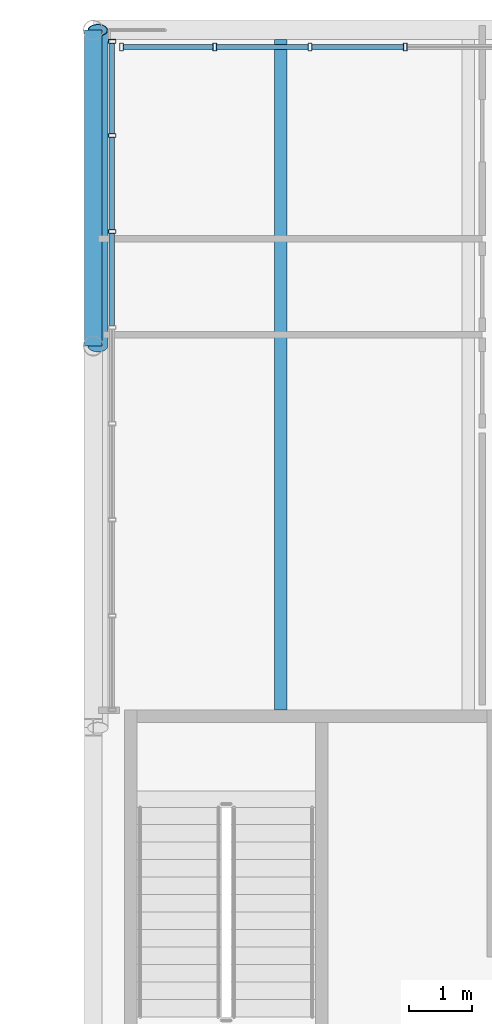
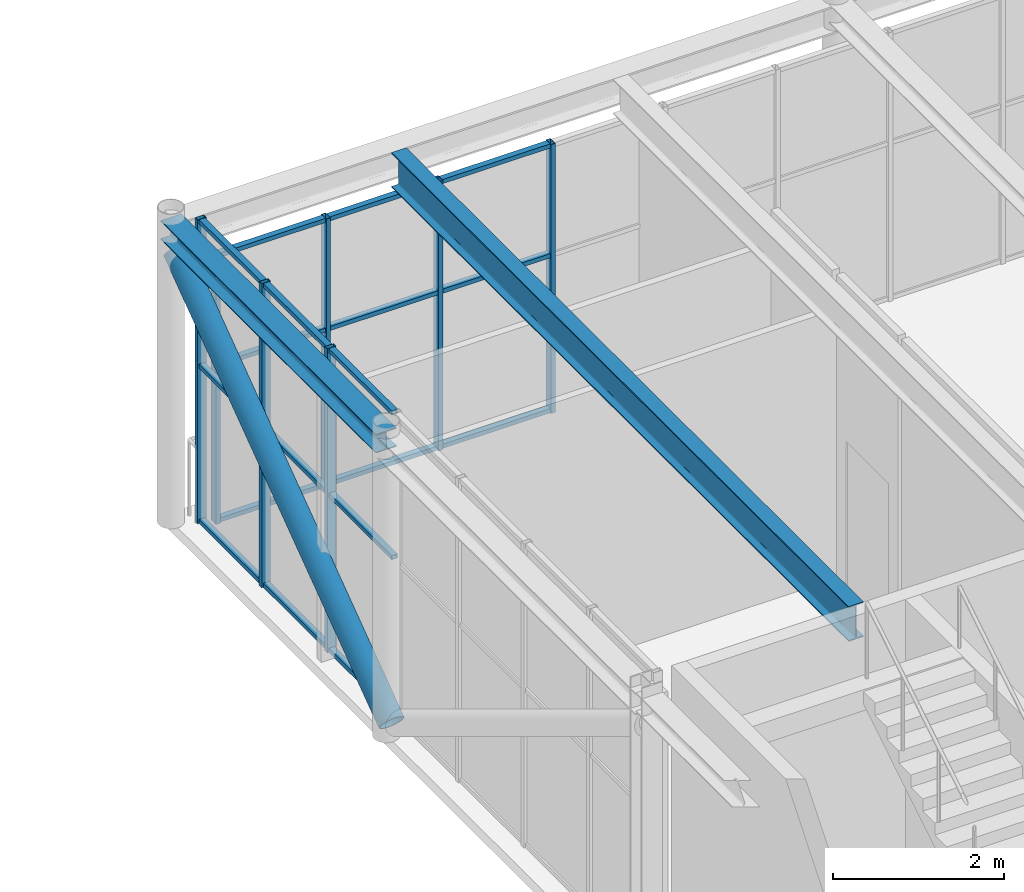
# One storey, part 22 of 70: 26 members, 2 beams, 2 elements without a shape of their own.
"""IFC4 building model written with IfcOpenShell, lengths in metres."""

import ifcopenshell
import ifcopenshell.guid

model = None  # the IFC model being written
_history = None  # IfcOwnerHistory: only IFC2X3 demands one
_inside = {}  # id of a spatial element -> (the spatial element, [elements in it])
_under = {}  # id of a project, library or spatial element -> (it, [spatial elements below it])
_declared = {}  # id of a project -> (the project, [libraries it declares])
_typed = {}  # id of a type object -> (the type object, [elements of that type])
_made_of = {}  # id of a material, layer set ... -> (it, [elements and type objects made of it])


def new_model(schema):
    """Start an empty IFC model of exactly this schema.

    Asked for "IFC4X3", IfcOpenShell would pick the latest addendum, in which some entities
    have other attributes; the version numbers below select the first issue.
    IFC2X3 requires an IfcOwnerHistory on every rooted entity: one is made here for all.
    """
    global model, _history
    if schema == "IFC4X3":
        model = ifcopenshell.file(schema_version=(4, 3, 0, 0))
    else:
        model = ifcopenshell.file(schema=schema)
    _inside.clear()
    _under.clear()
    _declared.clear()
    _typed.clear()
    _made_of.clear()
    _history = None
    if model.schema == "IFC2X3":
        org = make("IfcOrganization", Name="unknown")
        user = make(
            "IfcPersonAndOrganization",
            ThePerson=make("IfcPerson", FamilyName="unknown"),
            TheOrganization=org,
        )
        app = make(
            "IfcApplication",
            ApplicationDeveloper=org,
            Version="unknown",
            ApplicationFullName="unknown",
            ApplicationIdentifier="unknown",
        )
        _history = make(
            "IfcOwnerHistory",
            OwningUser=user,
            OwningApplication=app,
            ChangeAction="ADDED",
            CreationDate=0,
        )
    return model


def make(cls, **values):
    """One entity of the class cls with the attributes given. An attribute that is None is left unset."""
    return model.create_entity(
        cls, **{name: value for name, value in values.items() if value is not None}
    )


def rooted(cls, **values):
    """An entity with a GlobalId (a new one), such as an element, a storey or a relation."""
    return make(cls, GlobalId=ifcopenshell.guid.new(), OwnerHistory=_history, **values)


def si_unit(unit_type, name, prefix=None):
    """IfcSIUnit, for example si_unit("LENGTHUNIT", "METRE", prefix="MILLI")."""
    return make("IfcSIUnit", UnitType=unit_type, Prefix=prefix, Name=name)


def assignment(units):
    """IfcUnitAssignment: the units of a project."""
    return None if units is None else make("IfcUnitAssignment", Units=units)


def point(xyz):
    """IfcCartesianPoint."""
    return None if xyz is None else make("IfcCartesianPoint", Coordinates=xyz)


def direction(xyz):
    """IfcDirection."""
    return None if xyz is None else make("IfcDirection", DirectionRatios=xyz)


def frame(location, z_axis=None, x_axis=None):
    """IfcAxis2Placement3D, a coordinate frame: its origin and axes. An axis left out is left unset."""
    return make(
        "IfcAxis2Placement3D",
        Location=point(location),
        Axis=direction(z_axis),
        RefDirection=direction(x_axis),
    )


def frame_2d(location, x_axis=None):
    """IfcAxis2Placement2D, a coordinate frame in the plane: its origin and x axis."""
    return make(
        "IfcAxis2Placement2D", Location=point(location), RefDirection=direction(x_axis)
    )


def origin():
    """The frame at (0, 0, 0) with its axes left unset."""
    return frame((0.0, 0.0, 0.0))


def origin_2d():
    """The frame at (0, 0) in the plane with its x axis left unset."""
    return frame_2d((0.0, 0.0))


def place(relative_to, where):
    """IfcLocalPlacement: puts the frame where relative to a parent placement (None: the world)."""
    return make(
        "IfcLocalPlacement", PlacementRelTo=relative_to, RelativePlacement=where
    )


def context(
    kind, dimensions, precision=None, world=None, true_north=None, identifier=None
):
    """IfcGeometricRepresentationContext, for example the 3D "Model" context."""
    return make(
        "IfcGeometricRepresentationContext",
        ContextIdentifier=identifier,
        ContextType=kind,
        CoordinateSpaceDimension=dimensions,
        Precision=precision,
        WorldCoordinateSystem=world,
        TrueNorth=true_north,
    )


def subcontext(parent, identifier, kind, view, scale=None):
    """IfcGeometricRepresentationSubContext, for example "Body" below "Model"."""
    return make(
        "IfcGeometricRepresentationSubContext",
        ContextIdentifier=identifier,
        ContextType=kind,
        ParentContext=parent,
        TargetScale=scale,
        TargetView=view,
    )


def project(units=None, contexts=None):
    """IfcProject with its units and contexts."""
    return rooted(
        "IfcProject",
        Name="project",
        RepresentationContexts=contexts,
        UnitsInContext=assignment(units),
    )


def spatial(cls, under=None, at=None, **own):
    """A site, building, storey or space (cls), placed at a placement, below another one or the project."""
    s = rooted(cls, ObjectPlacement=at, **own)
    if under is not None:
        _under.setdefault(under.id(), (under, []))[1].append(s)
    return s


def profile(cls, at=None, kind="AREA", **sizes):
    """A parametric profile (cls). Its sizes go by their IFC names, for example OverallWidth=200.0."""
    return make(cls, ProfileType=kind, Position=at, **sizes)


def hollow_rectangle(**sizes):
    """IfcRectangleHollowProfileDef."""
    return profile("IfcRectangleHollowProfileDef", **sizes)


def hollow_circle(**sizes):
    """IfcCircleHollowProfileDef."""
    return profile("IfcCircleHollowProfileDef", **sizes)


def i_section(**sizes):
    """IfcIShapeProfileDef."""
    return profile("IfcIShapeProfileDef", **sizes)


def extrude(swept, where, along, depth):
    """IfcExtrudedAreaSolid: the profile swept, set in the frame where, extruded along a direction by depth."""
    return make(
        "IfcExtrudedAreaSolid",
        SweptArea=swept,
        Position=where,
        ExtrudedDirection=direction(along),
        Depth=depth,
    )


def shape(context_of_items, identifier, shape_type, items):
    """IfcShapeRepresentation: the items that make up one representation, for example the "Body"."""
    return make(
        "IfcShapeRepresentation",
        ContextOfItems=context_of_items,
        RepresentationIdentifier=identifier,
        RepresentationType=shape_type,
        Items=items,
    )


def material(Name=None, Category=None):
    """IfcMaterial."""
    return make("IfcMaterial", Name=Name, Category=Category)


def layer(
    of_material, thickness, ventilated=None, Name=None, Category=None, Priority=None
):
    """IfcMaterialLayer: one layer of a wall or slab, of a material (None: an air gap)."""
    return make(
        "IfcMaterialLayer",
        Material=of_material,
        LayerThickness=thickness,
        IsVentilated=ventilated,
        Name=Name,
        Category=Category,
        Priority=Priority,
    )


def layer_set(layers, Name=None):
    """IfcMaterialLayerSet."""
    return make("IfcMaterialLayerSet", MaterialLayers=layers, LayerSetName=Name)


def material_profile(
    of_material, cross_section, Name=None, Category=None, Priority=None
):
    """IfcMaterialProfile: a cross section and its material."""
    return make(
        "IfcMaterialProfile",
        Name=Name,
        Material=of_material,
        Profile=cross_section,
        Priority=Priority,
        Category=Category,
    )


def profile_set(profiles, Name=None, composite=None):
    """IfcMaterialProfileSet."""
    return make(
        "IfcMaterialProfileSet",
        Name=Name,
        MaterialProfiles=profiles,
        CompositeProfile=composite,
    )


def made_of(thing, what):
    """Note that an element or type object is made of a material, layer set ...; save() writes the relation."""
    if what is not None:
        _made_of.setdefault(what.id(), (what, []))[1].append(thing)
    return thing


def type_object(cls, material=None, **own):
    """A type object (cls), such as IfcWallType, which elements share."""
    return made_of(rooted(cls, **own), material)


def element(
    cls,
    number,
    at=None,
    inside=None,
    cuts=None,
    type_object=None,
    material=None,
    context=None,
    identifier="Body",
    shape_type=None,
    held_by="IfcProductDefinitionShape",
    body=None,
    shapes=None,
    **own,
):
    """One element of the class cls, such as IfcWall. Its Tag is "e" and its number.

    at: its placement. inside: the storey or other place that contains it. cuts: it is an
    opening in that element (IfcRelVoidsElement). A single representation is given by context,
    identifier, shape_type and body (its items); several are given by shapes. held_by: the class
    of the entity that holds the representations. save() writes the other relations.
    """
    e = rooted(cls, Tag="e%d" % number, ObjectPlacement=at, **own)
    if body is not None:
        shapes = [shape(context, identifier, shape_type, body)]
    if shapes is not None:
        e.Representation = make(held_by, Representations=shapes)
    if inside is not None:
        _inside.setdefault(inside.id(), (inside, []))[1].append(e)
    if cuts is not None:
        rooted(
            "IfcRelVoidsElement", RelatingBuildingElement=cuts, RelatedOpeningElement=e
        )
    if type_object is not None:
        _typed.setdefault(type_object.id(), (type_object, []))[1].append(e)
    return made_of(e, material)


def aggregate(whole, parts):
    """IfcRelAggregates: a whole, such as a stair, and the parts it consists of."""
    return rooted("IfcRelAggregates", RelatingObject=whole, RelatedObjects=parts)


def save(model, path):
    """Write the relations noted so far, then the file.

    IfcRelAggregates (storeys below a building ...), IfcRelContainedInSpatialStructure (elements
    in a storey), IfcRelDefinesByType, IfcRelAssociatesMaterial and IfcRelDeclares: one each for
    every whole, place, type object, material and project.
    """
    for whole, parts in _under.values():
        aggregate(whole, parts)
    for where, things in _inside.values():
        rooted(
            "IfcRelContainedInSpatialStructure",
            RelatedElements=things,
            RelatingStructure=where,
        )
    for kind, things in _typed.values():
        rooted("IfcRelDefinesByType", RelatedObjects=things, RelatingType=kind)
    for what, things in _made_of.values():
        rooted("IfcRelAssociatesMaterial", RelatedObjects=things, RelatingMaterial=what)
    for by, libraries in _declared.values():
        rooted("IfcRelDeclares", RelatingContext=by, RelatedDefinitions=libraries)
    model.write(path)


model = new_model("IFC4")

# Units and contexts
model_context = context("Model", 3, precision=1e-05, world=origin(), true_north=direction((0.0, 1.0)))
body_context = subcontext(model_context, "Body", "Model", "MODEL_VIEW")
ifc_project = project(units=[si_unit("LENGTHUNIT", "METRE"), si_unit("AREAUNIT", "SQUARE_METRE"), si_unit("VOLUMEUNIT", "CUBIC_METRE"), si_unit("PLANEANGLEUNIT", "RADIAN"), si_unit("MASSUNIT", "GRAM", prefix="KILO")], contexts=[model_context])

# Site, building, storey
site_placement = place(None, origin())
site = spatial("IfcSite", under=ifc_project, at=site_placement, CompositionType="ELEMENT")
building_placement = place(site_placement, origin())
building = spatial("IfcBuilding", under=site, at=building_placement, Name="Kallimachos Central Library", CompositionType="ELEMENT")
storey_placement = place(building_placement, frame((0.0, 0.0, 18.89990234375)))
storey = spatial("IfcBuildingStorey", under=building, at=storey_placement, Name="L04", CompositionType="ELEMENT", Elevation=18.89990234375)

# Member
ifc_material_1 = material(Name="Steel S355J2H", Category="steel")
ifc_material_profile_1 = material_profile(ifc_material_1, hollow_circle(Radius=0.161865234375, WallThickness=0.012451171875, at=origin_2d()), Name="CHS 323.9x12.5")
ifc_profile_set_1 = profile_set([ifc_material_profile_1], Name="Steel S355J2H")
member_type_1 = type_object("IfcMemberType", Name="CHS 323.9x12.5 brace", PredefinedType="BRACE", material=ifc_profile_set_1)
member_1_placement = place(storey_placement, frame((65.572998046875, 116.60009765625, 0.150146484375), z_axis=(0.0, 0.806651655217, 0.591027162774), x_axis=(-1.0, 0.0, 0.0)))
element("IfcMember", 1, at=member_1_placement, inside=storey, type_object=member_type_1, Name="Cantilever truss diagonal 65.5 L04.2", PredefinedType="BRACE", context=body_context, shape_type="SweptSolid", body=[
    extrude(hollow_circle(Radius=0.161865234375, WallThickness=0.012451171875, at=origin_2d()), origin(), (0.0, 0.0, 1.0), 6.26025390625),
])

# Curtain wall, members
ifc_material_2 = material(Name="Anodised aluminium and laminated glass", Category="aluminium")
ifc_layer = layer(ifc_material_2, 0.159912109375)
ifc_layer_set = layer_set([ifc_layer], Name="Glass box curtain wall")
curtain_wall_type = type_object("IfcCurtainWallType", Name="Glass box curtain wall", PredefinedType="NOTDEFINED", material=ifc_layer_set)
curtain_wall_1_placement = place(storey_placement, origin())
curtain_wall_1 = element("IfcCurtainWall", 2, at=curtain_wall_1_placement, inside=storey, type_object=curtain_wall_type, Name="Glass box curtain wall W L04", PredefinedType="NOTDEFINED")
ifc_material_3 = material(Name="Anodised aluminium", Category="aluminium")
ifc_material_profile_2 = material_profile(ifc_material_3, hollow_rectangle(XDim=0.06005859375, YDim=0.1201171875, WallThickness=0.00390625, at=origin_2d()), Name="ALU MULLION 60x120")
ifc_profile_set_2 = profile_set([ifc_material_profile_2], Name="Anodised aluminium")
member_type_2 = type_object("IfcMemberType", Name="Glass box mullion 60x120", PredefinedType="MULLION", material=ifc_profile_set_2)
member_2_placement = place(storey_placement, frame((65.800048828125, 118.428466796875, 0.0), z_axis=(0.0, 0.0, 1.0), x_axis=(0.0, 1.0, 0.0)))
member_2 = element("IfcMember", 3, at=member_2_placement, type_object=member_type_2, Name="CW31 mullion 6", PredefinedType="MULLION", context=body_context, shape_type="SweptSolid", body=[
    extrude(hollow_rectangle(XDim=0.06005859375, YDim=0.1201171875, WallThickness=0.00390625, at=origin_2d()), origin(), (0.0, 0.0, 1.0), 4.35009765625),
])
member_3_placement = place(storey_placement, frame((65.800048828125, 119.96435546875, 0.0), z_axis=(0.0, 0.0, 1.0), x_axis=(0.0, 1.0, 0.0)))
member_3 = element("IfcMember", 4, at=member_3_placement, type_object=member_type_2, Name="CW31 mullion 7", PredefinedType="MULLION", context=body_context, shape_type="SweptSolid", body=[
    extrude(hollow_rectangle(XDim=0.06005859375, YDim=0.1201171875, WallThickness=0.00390625, at=origin_2d()), origin(), (0.0, 0.0, 1.0), 4.35009765625),
])
member_4_placement = place(storey_placement, frame((65.800048828125, 121.469970703125, 0.0), z_axis=(0.0, 0.0, 1.0), x_axis=(0.0, 1.0, 0.0)))
member_4 = element("IfcMember", 5, at=member_4_placement, type_object=member_type_2, Name="CW31 mullion 8", PredefinedType="MULLION", context=body_context, shape_type="SweptSolid", body=[
    extrude(hollow_rectangle(XDim=0.06005859375, YDim=0.1201171875, WallThickness=0.00390625, at=origin_2d()), origin(), (0.0, 0.0, 1.0), 4.35009765625),
])

curtain_wall_2_placement = place(storey_placement, origin())
curtain_wall_2 = element("IfcCurtainWall", 6, at=curtain_wall_2_placement, inside=storey, type_object=curtain_wall_type, Name="Glass box curtain wall N L04", PredefinedType="NOTDEFINED")
member_5_placement = place(storey_placement, frame((65.949951171875, 121.3798828125, 0.0), z_axis=(0.0, 0.0, 1.0), x_axis=(1.0, 0.0, 0.0)))
member_5 = element("IfcMember", 7, at=member_5_placement, type_object=member_type_2, Name="CW34 mullion 1", PredefinedType="MULLION", context=body_context, shape_type="SweptSolid", body=[
    extrude(hollow_rectangle(XDim=0.06005859375, YDim=0.1201171875, WallThickness=0.00390625, at=origin_2d()), origin(), (0.0, 0.0, 1.0), 3.85009765625),
])
member_6_placement = place(storey_placement, frame((67.44287109375, 121.3798828125, 0.0), z_axis=(0.0, 0.0, 1.0), x_axis=(1.0, 0.0, 0.0)))
member_6 = element("IfcMember", 8, at=member_6_placement, type_object=member_type_2, Name="CW34 mullion 2", PredefinedType="MULLION", context=body_context, shape_type="SweptSolid", body=[
    extrude(hollow_rectangle(XDim=0.06005859375, YDim=0.1201171875, WallThickness=0.00390625, at=origin_2d()), origin(), (0.0, 0.0, 1.0), 3.85009765625),
])
member_7_placement = place(storey_placement, frame((68.965576171875, 121.3798828125, 0.0), z_axis=(0.0, 0.0, 1.0), x_axis=(1.0, 0.0, 0.0)))
member_7 = element("IfcMember", 9, at=member_7_placement, type_object=member_type_2, Name="CW34 mullion 3", PredefinedType="MULLION", context=body_context, shape_type="SweptSolid", body=[
    extrude(hollow_rectangle(XDim=0.06005859375, YDim=0.1201171875, WallThickness=0.00390625, at=origin_2d()), origin(), (0.0, 0.0, 1.0), 3.85009765625),
])
member_8_placement = place(storey_placement, frame((70.48828125, 121.3798828125, 0.0), z_axis=(0.0, 0.0, 1.0), x_axis=(1.0, 0.0, 0.0)))
member_8 = element("IfcMember", 10, at=member_8_placement, type_object=member_type_2, Name="CW34 mullion 4", PredefinedType="MULLION", context=body_context, shape_type="SweptSolid", body=[
    extrude(hollow_rectangle(XDim=0.06005859375, YDim=0.1201171875, WallThickness=0.00390625, at=origin_2d()), origin(), (0.0, 0.0, 1.0), 3.85009765625),
])

# Member
ifc_material_4 = material(Name="Anodised aluminium", Category="aluminium")
ifc_material_profile_3 = material_profile(ifc_material_4, hollow_rectangle(XDim=0.06005859375, YDim=0.080078125, WallThickness=0.00390625, at=origin_2d()), Name="ALU TRANSOM 60x80")
ifc_profile_set_3 = profile_set([ifc_material_profile_3], Name="Anodised aluminium")
member_type_3 = type_object("IfcMemberType", Name="Glass box transom 60x80", PredefinedType="USERDEFINED", material=ifc_profile_set_3)
member_9_placement = place(storey_placement, frame((65.800048828125, 116.9228515625, 0.030029296875), z_axis=(0.0, 1.0, 0.0), x_axis=(0.0, 0.0, 1.0)))
member_9 = element("IfcMember", 11, at=member_9_placement, type_object=member_type_3, Name="CW31 transom 5.1", ObjectType="TRANSOM", PredefinedType="USERDEFINED", context=body_context, shape_type="SweptSolid", body=[
    extrude(hollow_rectangle(XDim=0.06005859375, YDim=0.080078125, WallThickness=0.00390625, at=origin_2d()), origin(), (0.0, 0.0, 1.0), 1.475830078125),
])

member_10_placement = place(storey_placement, frame((65.800048828125, 116.9228515625, 2.25), z_axis=(0.0, 1.0, 0.0), x_axis=(0.0, 0.0, 1.0)))
member_10 = element("IfcMember", 12, at=member_10_placement, type_object=member_type_3, Name="CW31 transom 5.2", ObjectType="TRANSOM", PredefinedType="USERDEFINED", context=body_context, shape_type="SweptSolid", body=[
    extrude(hollow_rectangle(XDim=0.06005859375, YDim=0.080078125, WallThickness=0.00390625, at=origin_2d()), origin(), (0.0, 0.0, 1.0), 1.475830078125),
])

member_11_placement = place(storey_placement, frame((65.800048828125, 116.9228515625, 4.320068359375), z_axis=(0.0, 1.0, 0.0), x_axis=(0.0, 0.0, 1.0)))
member_11 = element("IfcMember", 13, at=member_11_placement, type_object=member_type_3, Name="CW31 transom 5.3", ObjectType="TRANSOM", PredefinedType="USERDEFINED", context=body_context, shape_type="SweptSolid", body=[
    extrude(hollow_rectangle(XDim=0.06005859375, YDim=0.080078125, WallThickness=0.00390625, at=origin_2d()), origin(), (0.0, 0.0, 1.0), 1.475830078125),
])

member_12_placement = place(storey_placement, frame((65.800048828125, 118.45849609375, 0.030029296875), z_axis=(0.0, 1.0, 0.0), x_axis=(0.0, 0.0, 1.0)))
member_12 = element("IfcMember", 14, at=member_12_placement, type_object=member_type_3, Name="CW31 transom 6.1", ObjectType="TRANSOM", PredefinedType="USERDEFINED", context=body_context, shape_type="SweptSolid", body=[
    extrude(hollow_rectangle(XDim=0.06005859375, YDim=0.080078125, WallThickness=0.00390625, at=origin_2d()), origin(), (0.0, 0.0, 1.0), 1.475830078125),
])

member_13_placement = place(storey_placement, frame((65.800048828125, 118.45849609375, 2.25), z_axis=(0.0, 1.0, 0.0), x_axis=(0.0, 0.0, 1.0)))
member_13 = element("IfcMember", 15, at=member_13_placement, type_object=member_type_3, Name="CW31 transom 6.2", ObjectType="TRANSOM", PredefinedType="USERDEFINED", context=body_context, shape_type="SweptSolid", body=[
    extrude(hollow_rectangle(XDim=0.06005859375, YDim=0.080078125, WallThickness=0.00390625, at=origin_2d()), origin(), (0.0, 0.0, 1.0), 1.475830078125),
])

member_14_placement = place(storey_placement, frame((65.800048828125, 118.45849609375, 4.320068359375), z_axis=(0.0, 1.0, 0.0), x_axis=(0.0, 0.0, 1.0)))
member_14 = element("IfcMember", 16, at=member_14_placement, type_object=member_type_3, Name="CW31 transom 6.3", ObjectType="TRANSOM", PredefinedType="USERDEFINED", context=body_context, shape_type="SweptSolid", body=[
    extrude(hollow_rectangle(XDim=0.06005859375, YDim=0.080078125, WallThickness=0.00390625, at=origin_2d()), origin(), (0.0, 0.0, 1.0), 1.475830078125),
])

member_15_placement = place(storey_placement, frame((65.800048828125, 119.994384765625, 0.030029296875), z_axis=(0.0, 1.0, 0.0), x_axis=(0.0, 0.0, 1.0)))
member_15 = element("IfcMember", 17, at=member_15_placement, type_object=member_type_3, Name="CW31 transom 7.1", ObjectType="TRANSOM", PredefinedType="USERDEFINED", context=body_context, shape_type="SweptSolid", body=[
    extrude(hollow_rectangle(XDim=0.06005859375, YDim=0.080078125, WallThickness=0.00390625, at=origin_2d()), origin(), (0.0, 0.0, 1.0), 1.445556640625),
])

member_16_placement = place(storey_placement, frame((65.800048828125, 119.994384765625, 2.25), z_axis=(0.0, 1.0, 0.0), x_axis=(0.0, 0.0, 1.0)))
member_16 = element("IfcMember", 18, at=member_16_placement, type_object=member_type_3, Name="CW31 transom 7.2", ObjectType="TRANSOM", PredefinedType="USERDEFINED", context=body_context, shape_type="SweptSolid", body=[
    extrude(hollow_rectangle(XDim=0.06005859375, YDim=0.080078125, WallThickness=0.00390625, at=origin_2d()), origin(), (0.0, 0.0, 1.0), 1.445556640625),
])

member_17_placement = place(storey_placement, frame((65.800048828125, 119.994384765625, 4.320068359375), z_axis=(0.0, 1.0, 0.0), x_axis=(0.0, 0.0, 1.0)))
member_17 = element("IfcMember", 19, at=member_17_placement, type_object=member_type_3, Name="CW31 transom 7.3", ObjectType="TRANSOM", PredefinedType="USERDEFINED", context=body_context, shape_type="SweptSolid", body=[
    extrude(hollow_rectangle(XDim=0.06005859375, YDim=0.080078125, WallThickness=0.00390625, at=origin_2d()), origin(), (0.0, 0.0, 1.0), 1.445556640625),
])

aggregate(curtain_wall_1, [member_2, member_3, member_4, member_9, member_10, member_11, member_12, member_13, member_14, member_15, member_16, member_17])

member_18_placement = place(storey_placement, frame((65.97998046875, 121.3798828125, 0.030029296875), z_axis=(1.0, 0.0, 0.0), x_axis=(0.0, 0.0, 1.0)))
member_18 = element("IfcMember", 20, at=member_18_placement, type_object=member_type_3, Name="CW34 transom 1.1", ObjectType="TRANSOM", PredefinedType="USERDEFINED", context=body_context, shape_type="SweptSolid", body=[
    extrude(hollow_rectangle(XDim=0.06005859375, YDim=0.080078125, WallThickness=0.00390625, at=origin_2d()), origin(), (0.0, 0.0, 1.0), 1.432861328125),
])

member_19_placement = place(storey_placement, frame((65.97998046875, 121.3798828125, 2.25), z_axis=(1.0, 0.0, 0.0), x_axis=(0.0, 0.0, 1.0)))
member_19 = element("IfcMember", 21, at=member_19_placement, type_object=member_type_3, Name="CW34 transom 1.2", ObjectType="TRANSOM", PredefinedType="USERDEFINED", context=body_context, shape_type="SweptSolid", body=[
    extrude(hollow_rectangle(XDim=0.06005859375, YDim=0.080078125, WallThickness=0.00390625, at=origin_2d()), origin(), (0.0, 0.0, 1.0), 1.432861328125),
])

member_20_placement = place(storey_placement, frame((65.97998046875, 121.3798828125, 3.820068359375), z_axis=(1.0, 0.0, 0.0), x_axis=(0.0, 0.0, 1.0)))
member_20 = element("IfcMember", 22, at=member_20_placement, type_object=member_type_3, Name="CW34 transom 1.3", ObjectType="TRANSOM", PredefinedType="USERDEFINED", context=body_context, shape_type="SweptSolid", body=[
    extrude(hollow_rectangle(XDim=0.06005859375, YDim=0.080078125, WallThickness=0.00390625, at=origin_2d()), origin(), (0.0, 0.0, 1.0), 1.432861328125),
])

member_21_placement = place(storey_placement, frame((67.47265625, 121.3798828125, 0.030029296875), z_axis=(1.0, 0.0, 0.0), x_axis=(0.0, 0.0, 1.0)))
member_21 = element("IfcMember", 23, at=member_21_placement, type_object=member_type_3, Name="CW34 transom 2.1", ObjectType="TRANSOM", PredefinedType="USERDEFINED", context=body_context, shape_type="SweptSolid", body=[
    extrude(hollow_rectangle(XDim=0.06005859375, YDim=0.080078125, WallThickness=0.00390625, at=origin_2d()), origin(), (0.0, 0.0, 1.0), 1.462890625),
])

member_22_placement = place(storey_placement, frame((67.47265625, 121.3798828125, 2.25), z_axis=(1.0, 0.0, 0.0), x_axis=(0.0, 0.0, 1.0)))
member_22 = element("IfcMember", 24, at=member_22_placement, type_object=member_type_3, Name="CW34 transom 2.2", ObjectType="TRANSOM", PredefinedType="USERDEFINED", context=body_context, shape_type="SweptSolid", body=[
    extrude(hollow_rectangle(XDim=0.06005859375, YDim=0.080078125, WallThickness=0.00390625, at=origin_2d()), origin(), (0.0, 0.0, 1.0), 1.462890625),
])

member_23_placement = place(storey_placement, frame((67.47265625, 121.3798828125, 3.820068359375), z_axis=(1.0, 0.0, 0.0), x_axis=(0.0, 0.0, 1.0)))
member_23 = element("IfcMember", 25, at=member_23_placement, type_object=member_type_3, Name="CW34 transom 2.3", ObjectType="TRANSOM", PredefinedType="USERDEFINED", context=body_context, shape_type="SweptSolid", body=[
    extrude(hollow_rectangle(XDim=0.06005859375, YDim=0.080078125, WallThickness=0.00390625, at=origin_2d()), origin(), (0.0, 0.0, 1.0), 1.462890625),
])

member_24_placement = place(storey_placement, frame((68.99560546875, 121.3798828125, 0.030029296875), z_axis=(1.0, 0.0, 0.0), x_axis=(0.0, 0.0, 1.0)))
member_24 = element("IfcMember", 26, at=member_24_placement, type_object=member_type_3, Name="CW34 transom 3.1", ObjectType="TRANSOM", PredefinedType="USERDEFINED", context=body_context, shape_type="SweptSolid", body=[
    extrude(hollow_rectangle(XDim=0.06005859375, YDim=0.080078125, WallThickness=0.00390625, at=origin_2d()), origin(), (0.0, 0.0, 1.0), 1.462646484375),
])

member_25_placement = place(storey_placement, frame((68.99560546875, 121.3798828125, 2.25), z_axis=(1.0, 0.0, 0.0), x_axis=(0.0, 0.0, 1.0)))
member_25 = element("IfcMember", 27, at=member_25_placement, type_object=member_type_3, Name="CW34 transom 3.2", ObjectType="TRANSOM", PredefinedType="USERDEFINED", context=body_context, shape_type="SweptSolid", body=[
    extrude(hollow_rectangle(XDim=0.06005859375, YDim=0.080078125, WallThickness=0.00390625, at=origin_2d()), origin(), (0.0, 0.0, 1.0), 1.462646484375),
])

member_26_placement = place(storey_placement, frame((68.99560546875, 121.3798828125, 3.820068359375), z_axis=(1.0, 0.0, 0.0), x_axis=(0.0, 0.0, 1.0)))
member_26 = element("IfcMember", 28, at=member_26_placement, type_object=member_type_3, Name="CW34 transom 3.3", ObjectType="TRANSOM", PredefinedType="USERDEFINED", context=body_context, shape_type="SweptSolid", body=[
    extrude(hollow_rectangle(XDim=0.06005859375, YDim=0.080078125, WallThickness=0.00390625, at=origin_2d()), origin(), (0.0, 0.0, 1.0), 1.462646484375),
])

aggregate(curtain_wall_2, [member_5, member_6, member_7, member_8, member_18, member_19, member_20, member_21, member_22, member_23, member_24, member_25, member_26])

# Beams
ifc_material_5 = material(Name="Steel S355J2", Category="steel")
ifc_material_profile_4 = material_profile(ifc_material_5, i_section(OverallWidth=0.280029296875, OverallDepth=0.27001953125, WebThickness=0.008056640625, FlangeThickness=0.012939453125, FilletRadius=0.02392578125, at=origin_2d()), Name="HEA 280")
ifc_profile_set_4 = profile_set([ifc_material_profile_4], Name="Steel S355J2")
beam_type_1 = type_object("IfcBeamType", Name="HEA 280 beam", PredefinedType="BEAM", material=ifc_profile_set_4)
beam_1_placement = place(storey_placement, frame((65.5, 116.60009765625, 4.215087890625), z_axis=(0.0, 1.0, 0.0), x_axis=(-1.0, 0.0, 0.0)))
element("IfcBeam", 29, at=beam_1_placement, inside=storey, type_object=beam_type_1, Name="V1-BEM-L04-024", PredefinedType="BEAM", context=body_context, shape_type="SweptSolid", body=[
    extrude(i_section(OverallWidth=0.280029296875, OverallDepth=0.27001953125, WebThickness=0.008056640625, FlangeThickness=0.012939453125, FilletRadius=0.02392578125, at=origin_2d()), origin(), (0.0, 0.0, 1.0), 5.0498046875),
])
ifc_material_6 = material(Name="Steel S355J2", Category="steel")
ifc_material_profile_5 = material_profile(ifc_material_6, i_section(OverallWidth=0.199951171875, OverallDepth=0.5, WebThickness=0.01025390625, FlangeThickness=0.01611328125, FilletRadius=0.02099609375, at=origin_2d()), Name="IPE 500")
ifc_profile_set_5 = profile_set([ifc_material_profile_5], Name="Steel S355J2")
beam_type_2 = type_object("IfcBeamType", Name="IPE 500 beam", PredefinedType="BEAM", material=ifc_profile_set_5)
beam_2_placement = place(storey_placement, frame((68.5, 110.780029296875, 4.10009765625), z_axis=(0.0, 1.0, 0.0), x_axis=(-1.0, 0.0, 0.0)))
element("IfcBeam", 30, at=beam_2_placement, inside=storey, type_object=beam_type_2, Name="V1-BEM-L04-050", PredefinedType="BEAM", context=body_context, shape_type="SweptSolid", body=[
    extrude(i_section(OverallWidth=0.199951171875, OverallDepth=0.5, WebThickness=0.01025390625, FlangeThickness=0.01611328125, FilletRadius=0.02099609375, at=origin_2d()), origin(), (0.0, 0.0, 1.0), 10.719970703125),
])

save(model, "model.ifc")
